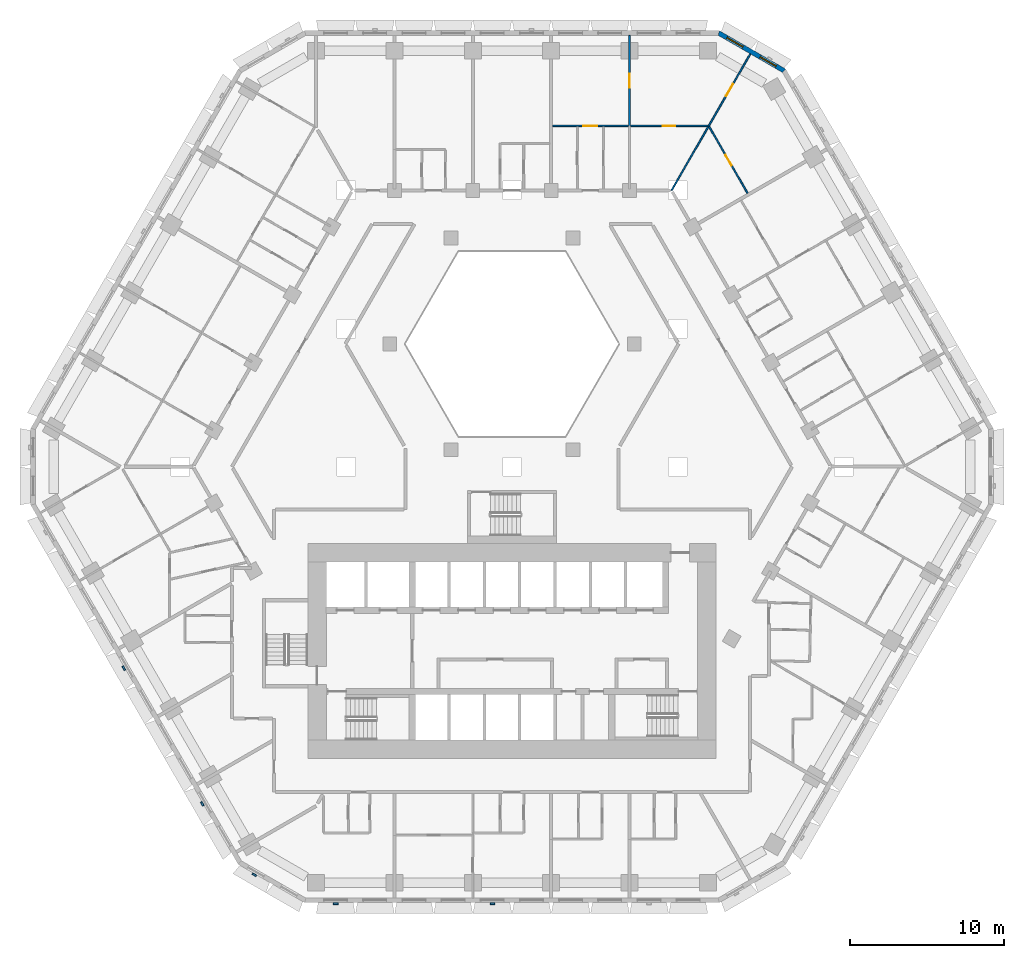
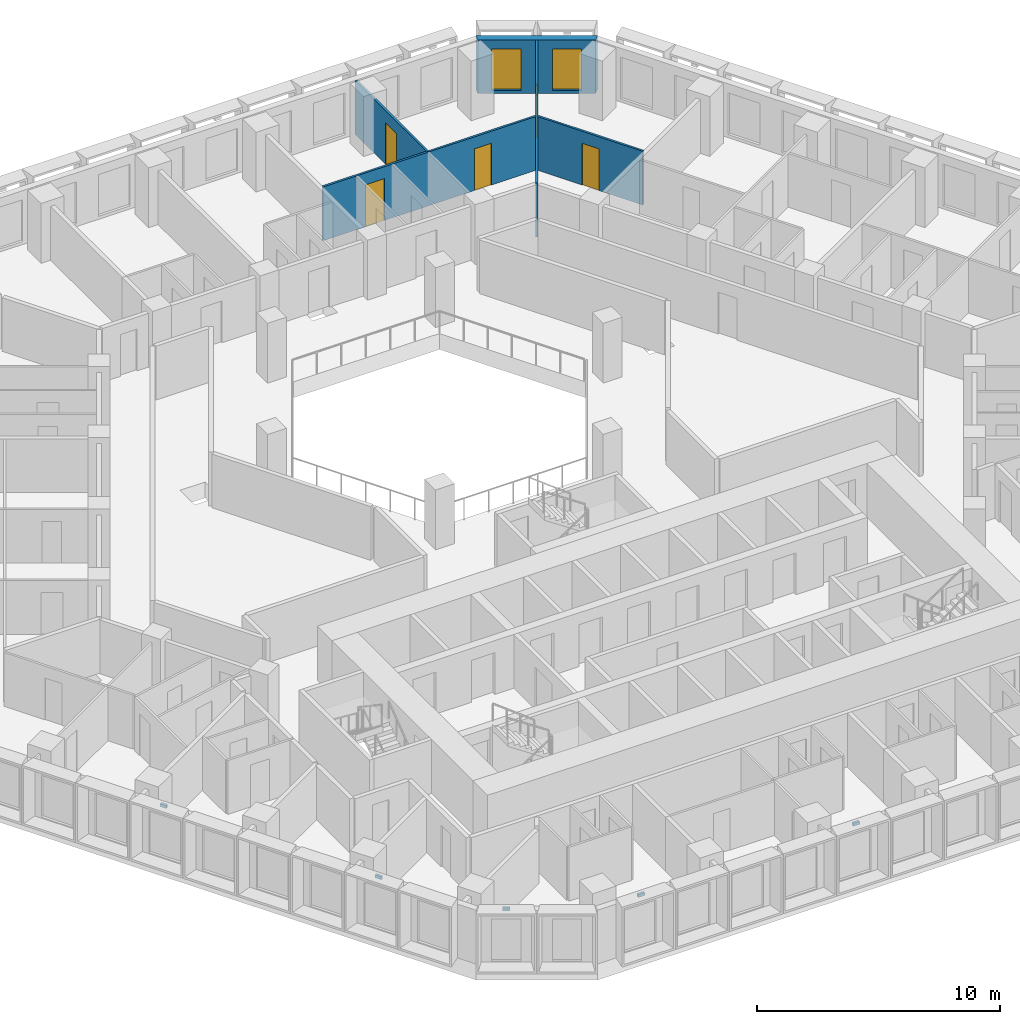
# One storey, part 12 of 21: 5 discrete accessories, 5 doors, 5 walls, 2 windows, 7 openings.
"""IFC4 building model written with IfcOpenShell, lengths in metres."""

from ifc_helpers import new_model, si_unit, direction, frame, frame_2d, origin, place, context, subcontext, project, spatial, polyline, rectangle, outline, extrude, source, transform, mapped, material, layer, layer_set, type_object, type_shapes, element, fill, save


model = new_model("IFC4")

# Units and contexts
model_context = context("Model", 3, precision=1e-05, world=origin(), true_north=direction((0.0, 1.0)))
body_context = subcontext(model_context, "Body", "Model", "MODEL_VIEW")
ifc_project = project(units=[si_unit("LENGTHUNIT", "METRE"), si_unit("AREAUNIT", "SQUARE_METRE"), si_unit("VOLUMEUNIT", "CUBIC_METRE"), si_unit("PLANEANGLEUNIT", "RADIAN"), si_unit("MASSUNIT", "GRAM", prefix="KILO")], contexts=[model_context])

# Site, building, storey
site_placement = place(None, origin())
site = spatial("IfcSite", under=ifc_project, at=site_placement, CompositionType="ELEMENT")
building_placement = place(site_placement, origin())
building = spatial("IfcBuilding", under=site, at=building_placement, Name="Beryl Residences", CompositionType="ELEMENT")
storey_placement = place(building_placement, frame((0.0, 0.0, 23.39990234375)))
storey = spatial("IfcBuildingStorey", under=building, at=storey_placement, Name="L06", CompositionType="ELEMENT", Elevation=23.39990234375)

# Wall, openings, windows
ifc_material_1 = material(Name="Composite metal panel with mineral wool insulation")
ifc_layer_1 = layer(ifc_material_1, 0.300048828125)
ifc_layer_set_1 = layer_set([ifc_layer_1], Name="ES1 pale metal composite panel wall 300 mm")
wall_type_1 = type_object("IfcWallType", Name="ES1 pale metal composite panel wall 300 mm", PredefinedType="SOLIDWALL", material=ifc_layer_set_1)
wall_1_placement = place(storey_placement, frame((17.764892578125, 25.77001953125, 0.0), z_axis=(0.0, 0.0, 1.0), x_axis=(-0.866010750942, 0.50002537861, 0.0)))
wall_1 = element("IfcWall", 1, at=wall_1_placement, inside=storey, type_object=wall_type_1, Name="ES1 external wall L06 NE-N", PredefinedType="SOLIDWALL", context=body_context, shape_type="SweptSolid", body=[
    extrude(outline(polyline([(0.0, -0.14990234375), (4.999755859375, -0.14990234375), (4.91943359375, 0.14990234375), (0.080322265625, 0.14990234375), (0.0, -0.14990234375)])), origin(), (0.0, 0.0, 1.0), 2.7001953125),
])
opening_1_placement = place(wall_1_placement, frame((0.64990234375, 0.0, 0.14990234375)))
opening_1 = element("IfcOpeningElement", 2, at=opening_1_placement, cuts=wall_1, Name="Opening W2", PredefinedType="OPENING", context=body_context, shape_type="SweptSolid", body=[
    extrude(rectangle(XDim=1.199951171875, YDim=2.10009765625, at=frame_2d((0.60009765625, 1.050048828125))), frame((0.0, 0.159912109375, 0.0), z_axis=(0.0, -1.0, 0.0), x_axis=(1.0, 0.0, 0.0)), (0.0, 0.0, 1.0), 0.320068359375),
])
opening_2_placement = place(wall_1_placement, frame((3.14990234375, 0.0, 0.14990234375)))
opening_2 = element("IfcOpeningElement", 3, at=opening_2_placement, cuts=wall_1, Name="Opening W2", PredefinedType="OPENING", context=body_context, shape_type="SweptSolid", body=[
    extrude(rectangle(XDim=1.199951171875, YDim=2.10009765625, at=frame_2d((0.60009765625, 1.050048828125))), frame((0.0, 0.159912109375, 0.0), z_axis=(0.0, -1.0, 0.0), x_axis=(1.0, 0.0, 0.0)), (0.0, 0.0, 1.0), 0.320068359375),
])
ifc_material_2 = material(Name="Aluminium and clear glass", Category="aluminium")
window_type = type_object("IfcWindowType", Name="W2 chamfer window 1200 x 2100 mm", PartitioningType="SINGLE_PANEL", PredefinedType="WINDOW", material=ifc_material_2)
window_1_placement = place(opening_1_placement, origin())
window_1 = element("IfcWindow", 4, at=window_1_placement, inside=storey, type_object=window_type, Name="W2 window L06 NE-N 1", OverallHeight=2.10009765625, OverallWidth=1.199951171875, PartitioningType="SINGLE_PANEL", PredefinedType="WINDOW", context=body_context, shape_type="SweptSolid", body=[
    extrude(rectangle(XDim=1.199951171875, YDim=2.10009765625, at=frame_2d((0.60009765625, 1.050048828125))), frame((0.0, 0.030029296875, 0.0), z_axis=(0.0, -1.0, 0.0), x_axis=(1.0, 0.0, 0.0)), (0.0, 0.0, 1.0), 0.06005859375),
])
fill(opening_1, window_1)
window_2_placement = place(opening_2_placement, origin())
window_2 = element("IfcWindow", 5, at=window_2_placement, inside=storey, type_object=window_type, Name="W2 window L06 NE-N 2", OverallHeight=2.10009765625, OverallWidth=1.199951171875, PartitioningType="SINGLE_PANEL", PredefinedType="WINDOW", context=body_context, shape_type="SweptSolid", body=[
    extrude(rectangle(XDim=1.199951171875, YDim=2.10009765625, at=frame_2d((0.60009765625, 1.050048828125))), frame((0.0, 0.030029296875, 0.0), z_axis=(0.0, -1.0, 0.0), x_axis=(1.0, 0.0, 0.0)), (0.0, 0.0, 1.0), 0.06005859375),
])
fill(opening_2, window_2)

# Wall, opening, door
ifc_material_3 = material(Name="Gypsum board partition on steel studs", Category="steel")
ifc_layer_2 = layer(ifc_material_3, 0.10009765625)
ifc_layer_set_2 = layer_set([ifc_layer_2], Name="PT1 partition 100 mm gypsum board on steel studs")
wall_type_2 = type_object("IfcWallType", Name="PT1 partition 100 mm gypsum board on steel studs", PredefinedType="PARTITIONING", material=ifc_layer_set_2)
wall_2_placement = place(storey_placement, frame((12.845947265625, 22.14990234375, 0.0), z_axis=(0.0, 0.0, 1.0), x_axis=(0.500002715276, -0.866023836113, 0.0)))
wall_2 = element("IfcWall", 6, at=wall_2_placement, inside=storey, type_object=wall_type_2, Name="Wall PT1 L06 004", PredefinedType="PARTITIONING", context=body_context, shape_type="SweptSolid", body=[
    extrude(rectangle(XDim=5.001953125, YDim=0.10009765625, at=frame_2d((2.5009765625, 0.0))), origin(), (0.0, 0.0, 1.0), 2.7001953125),
])
opening_3_placement = place(wall_2_placement, frame((2.1220703125, 0.0, 0.0)))
opening_3 = element("IfcOpeningElement", 7, at=opening_3_placement, cuts=wall_2, Name="Opening D0148", PredefinedType="OPENING", context=body_context, shape_type="SweptSolid", body=[
    extrude(rectangle(XDim=0.800048828125, YDim=2.10009765625, at=frame_2d((0.39990234375, 1.050048828125))), frame((0.0, 0.06005859375, 0.0), z_axis=(0.0, -1.0, 0.0), x_axis=(1.0, 0.0, 0.0)), (0.0, 0.0, 1.0), 0.1201171875),
])
ifc_material_4 = material(Name="Timber door leaf", Category="wood")
door_type_1 = type_object("IfcDoorType", Name="D3 bathroom door 800 x 2100 mm", OperationType="SINGLE_SWING_LEFT", PredefinedType="DOOR", material=ifc_material_4)
door_1_placement = place(opening_3_placement, origin())
door_1 = element("IfcDoor", 8, at=door_1_placement, inside=storey, type_object=door_type_1, Name="Door D0148 L06 001", OperationType="SINGLE_SWING_RIGHT", OverallHeight=2.10009765625, OverallWidth=0.800048828125, PredefinedType="DOOR", context=body_context, shape_type="SweptSolid", body=[
    extrude(rectangle(XDim=0.800048828125, YDim=2.10009765625, at=frame_2d((0.39990234375, 1.050048828125))), frame((0.0, 0.02490234375, 0.0), z_axis=(0.0, -1.0, 0.0), x_axis=(1.0, 0.0, 0.0)), (0.0, 0.0, 1.0), 0.050048828125),
])
fill(opening_3, door_1)

# Wall, openings, doors
wall_3_placement = place(storey_placement, frame((2.65087890625, 22.199951171875, 0.0), z_axis=(0.0, 0.0, 1.0), x_axis=(1.0, 0.0, 0.0)))
wall_3 = element("IfcWall", 9, at=wall_3_placement, inside=storey, type_object=wall_type_2, Name="Wall PT1 L06 034", PredefinedType="PARTITIONING", context=body_context, shape_type="SweptSolid", body=[
    extrude(rectangle(XDim=10.109130859375, YDim=0.10009765625, at=frame_2d((5.0546875, 0.0))), origin(), (0.0, 0.0, 1.0), 2.7001953125),
])
opening_4_placement = place(wall_3_placement, frame((2.001953125, 0.0, 0.0)))
opening_4 = element("IfcOpeningElement", 10, at=opening_4_placement, cuts=wall_3, Name="Opening D0144", PredefinedType="OPENING", context=body_context, shape_type="SweptSolid", body=[
    extrude(rectangle(XDim=0.89990234375, YDim=2.10009765625, at=frame_2d((0.449951171875, 1.050048828125))), frame((0.0, 0.06005859375, 0.0), z_axis=(0.0, -1.0, 0.0), x_axis=(1.0, 0.0, 0.0)), (0.0, 0.0, 1.0), 0.1201171875),
])
opening_5_placement = place(wall_3_placement, frame((7.18505859375, 0.0, 0.0)))
opening_5 = element("IfcOpeningElement", 11, at=opening_5_placement, cuts=wall_3, Name="Opening D0147", PredefinedType="OPENING", context=body_context, shape_type="SweptSolid", body=[
    extrude(rectangle(XDim=0.800048828125, YDim=2.10009765625, at=frame_2d((0.39990234375, 1.050048828125))), frame((0.0, 0.06005859375, 0.0), z_axis=(0.0, -1.0, 0.0), x_axis=(1.0, 0.0, 0.0)), (0.0, 0.0, 1.0), 0.1201171875),
])
ifc_material_5 = material(Name="Timber door leaf", Category="wood")
door_type_2 = type_object("IfcDoorType", Name="D2 room door 900 x 2100 mm", OperationType="SINGLE_SWING_LEFT", PredefinedType="DOOR", material=ifc_material_5)
door_2_placement = place(opening_4_placement, origin())
door_2 = element("IfcDoor", 12, at=door_2_placement, inside=storey, type_object=door_type_2, Name="Door D0144 L06 001", OperationType="SINGLE_SWING_RIGHT", OverallHeight=2.10009765625, OverallWidth=0.89990234375, PredefinedType="DOOR", context=body_context, shape_type="SweptSolid", body=[
    extrude(rectangle(XDim=0.89990234375, YDim=2.10009765625, at=frame_2d((0.449951171875, 1.050048828125))), frame((0.0, 0.02490234375, 0.0), z_axis=(0.0, -1.0, 0.0), x_axis=(1.0, 0.0, 0.0)), (0.0, 0.0, 1.0), 0.050048828125),
])
fill(opening_4, door_2)
door_3_placement = place(opening_5_placement, origin())
door_3 = element("IfcDoor", 13, at=door_3_placement, inside=storey, type_object=door_type_1, Name="Door D0147 L06 001", OperationType="SINGLE_SWING_LEFT", OverallHeight=2.10009765625, OverallWidth=0.800048828125, PredefinedType="DOOR", context=body_context, shape_type="SweptSolid", body=[
    extrude(rectangle(XDim=0.800048828125, YDim=2.10009765625, at=frame_2d((0.39990234375, 1.050048828125))), frame((0.0, 0.02490234375, 0.0), z_axis=(0.0, -1.0, 0.0), x_axis=(1.0, 0.0, 0.0)), (0.0, 0.0, 1.0), 0.050048828125),
])
fill(opening_5, door_3)

# Wall, opening, door
wall_4_placement = place(storey_placement, frame((10.39306640625, 18.0, 0.0), z_axis=(0.0, 0.0, 1.0), x_axis=(0.499945497007, 0.866056868816, 0.0)))
wall_4 = element("IfcWall", 14, at=wall_4_placement, inside=storey, type_object=wall_type_2, Name="Wall PT1 L06 038", PredefinedType="PARTITIONING", context=body_context, shape_type="SweptSolid", body=[
    extrude(rectangle(XDim=10.264892578125, YDim=0.10009765625, at=frame_2d((5.13232421875, 0.0))), origin(), (0.0, 0.0, 1.0), 2.7001953125),
])
opening_6_placement = place(wall_4_placement, frame((7.10791015625, 0.0, 0.0)))
opening_6 = element("IfcOpeningElement", 15, at=opening_6_placement, cuts=wall_4, Name="Opening D0146", PredefinedType="OPENING", context=body_context, shape_type="SweptSolid", body=[
    extrude(rectangle(XDim=0.89990234375, YDim=2.10009765625, at=frame_2d((0.449951171875, 1.050048828125))), frame((0.0, 0.06005859375, 0.0), z_axis=(0.0, -1.0, 0.0), x_axis=(1.0, 0.0, 0.0)), (0.0, 0.0, 1.0), 0.1201171875),
])
door_4_placement = place(opening_6_placement, origin())
door_4 = element("IfcDoor", 16, at=door_4_placement, inside=storey, type_object=door_type_2, Name="Door D0146 L06 001", OperationType="SINGLE_SWING_RIGHT", OverallHeight=2.10009765625, OverallWidth=0.89990234375, PredefinedType="DOOR", context=body_context, shape_type="SweptSolid", body=[
    extrude(rectangle(XDim=0.89990234375, YDim=2.10009765625, at=frame_2d((0.449951171875, 1.050048828125))), frame((0.0, 0.02490234375, 0.0), z_axis=(0.0, -1.0, 0.0), x_axis=(1.0, 0.0, 0.0)), (0.0, 0.0, 1.0), 0.050048828125),
])
fill(opening_6, door_4)

wall_5_placement = place(storey_placement, frame((7.655029296875, 22.199951171875, 0.0), z_axis=(0.0, 0.0, 1.0), x_axis=(0.0, 1.0, 0.0)))
wall_5 = element("IfcWall", 17, at=wall_5_placement, inside=storey, type_object=wall_type_2, Name="Wall PT1 L06 076", PredefinedType="PARTITIONING", context=body_context, shape_type="SweptSolid", body=[
    extrude(rectangle(XDim=5.900146484375, YDim=0.10009765625, at=frame_2d((2.9501953125, 0.0))), origin(), (0.0, 0.0, 1.0), 2.7001953125),
])
opening_7_placement = place(wall_5_placement, frame((2.5, 0.0, 0.0)))
opening_7 = element("IfcOpeningElement", 18, at=opening_7_placement, cuts=wall_5, Name="Opening D0145", PredefinedType="OPENING", context=body_context, shape_type="SweptSolid", body=[
    extrude(rectangle(XDim=0.89990234375, YDim=2.10009765625, at=frame_2d((0.449951171875, 1.050048828125))), frame((0.0, 0.06005859375, 0.0), z_axis=(0.0, -1.0, 0.0), x_axis=(1.0, 0.0, 0.0)), (0.0, 0.0, 1.0), 0.1201171875),
])
door_5_placement = place(opening_7_placement, origin())
door_5 = element("IfcDoor", 19, at=door_5_placement, inside=storey, type_object=door_type_2, Name="Door D0145 L06 001", OperationType="SINGLE_SWING_LEFT", OverallHeight=2.10009765625, OverallWidth=0.89990234375, PredefinedType="DOOR", context=body_context, shape_type="SweptSolid", body=[
    extrude(rectangle(XDim=0.89990234375, YDim=2.10009765625, at=frame_2d((0.449951171875, 1.050048828125))), frame((0.0, 0.02490234375, 0.0), z_axis=(0.0, -1.0, 0.0), x_axis=(1.0, 0.0, 0.0)), (0.0, 0.0, 1.0), 0.050048828125),
])
fill(opening_7, door_5)

# Discrete accessories
ifc_material_6 = material(Name="Steel S355", Category="steel")
discrete_accessory_type = type_object("IfcDiscreteAccessoryType", Name="BR1 frame bracket 300 x 120 x 150 mm", PredefinedType="BRACKET", material=ifc_material_6)
shared_shape = source(origin(), body_context, "Body", "SweptSolid", [
    extrude(outline(polyline([(-0.14990234375, 0.0), (0.14990234375, 0.0), (0.14990234375, 0.1201171875), (-0.14990234375, 0.1201171875), (-0.14990234375, 0.0)])), origin(), (0.0, 0.0, 1.0), 0.14990234375),
])
type_shapes(discrete_accessory_type, [shared_shape])
for number, where, z_axis, x_axis, name in (
    (20, (-25.23193359375, -13.095947265625, 2.75), (0.0, 0.0, 1.0), (-0.5, 0.866025403784, 0.0), "BR1 bracket L06 SW 5"),
    (21, (-20.12890625, -21.93603515625, 2.75), (0.0, 0.0, 1.0), (-0.5, 0.866025403784, 0.0), "BR1 bracket L06 SW 9"),
    (22, (-16.758056640625, -26.52490234375, 2.75), (0.0, 0.0, 1.0), (-0.866025403784, 0.5, 0.0), "BR1 bracket L06 SW-S 1"),
    (23, (-11.48291015625, -28.39990234375, 2.75), (0.0, 0.0, 1.0), (-1.0, 0.0, 0.0), "BR1 bracket L06 S 1"),
    (24, (-1.27490234375, -28.39990234375, 2.75), (0.0, 0.0, 1.0), (-1.0, 0.0, 0.0), "BR1 bracket L06 S 5"),
):
    element("IfcDiscreteAccessory", number, at=place(storey_placement, frame(where, z_axis=z_axis, x_axis=x_axis)), inside=storey, type_object=discrete_accessory_type, Name=name, PredefinedType="BRACKET", context=body_context, shape_type="MappedRepresentation", body=[
        mapped(shared_shape, transform((0.0, 0.0, 0.0))),
    ])

save(model, "model.ifc")
